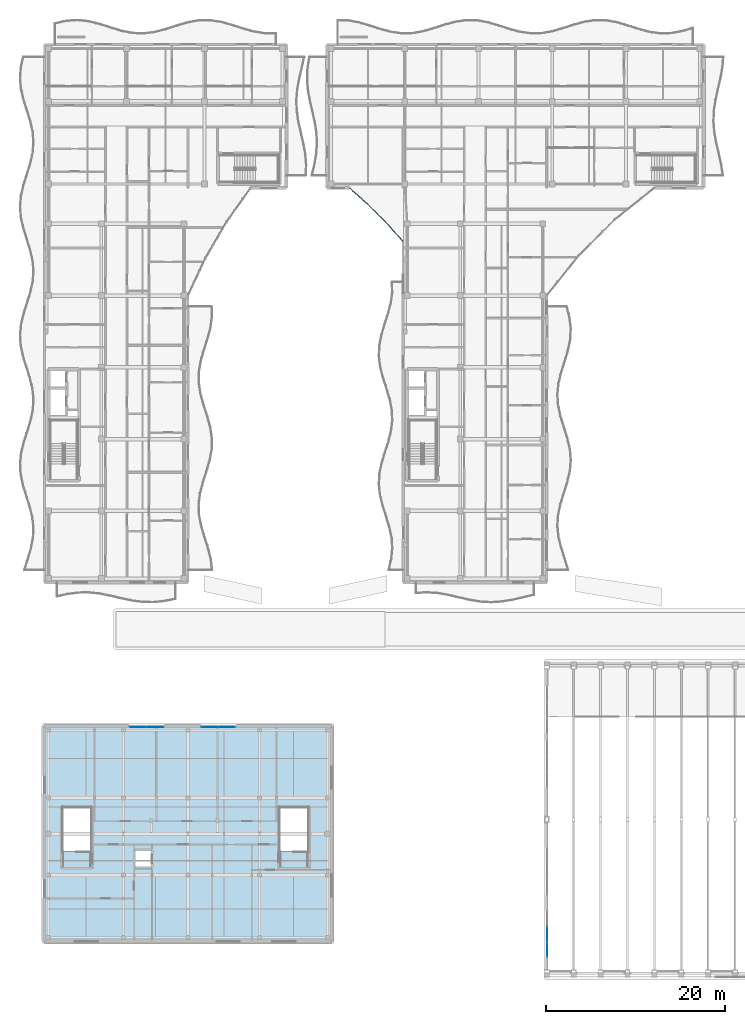
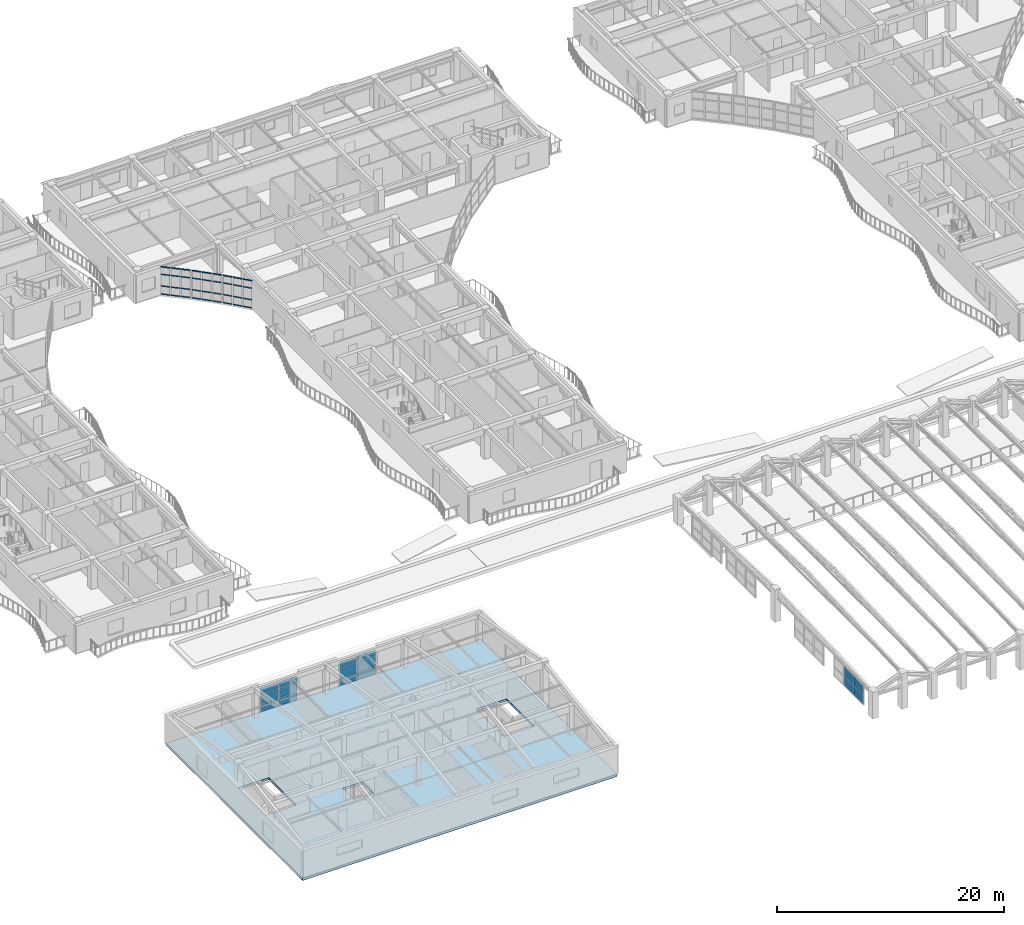
# One storey, part 69 of 128: 36 members, 16 plates, 1 slab, 6 elements without a shape of their own.
"""IFC4 building model written with IfcOpenShell, lengths in metres."""

import ifcopenshell
import ifcopenshell.guid

model = None  # the IFC model being written
_history = None  # IfcOwnerHistory: only IFC2X3 demands one
_inside = {}  # id of a spatial element -> (the spatial element, [elements in it])
_under = {}  # id of a project, library or spatial element -> (it, [spatial elements below it])
_declared = {}  # id of a project -> (the project, [libraries it declares])
_typed = {}  # id of a type object -> (the type object, [elements of that type])
_made_of = {}  # id of a material, layer set ... -> (it, [elements and type objects made of it])


def new_model(schema):
    """Start an empty IFC model of exactly this schema.

    Asked for "IFC4X3", IfcOpenShell would pick the latest addendum, in which some entities
    have other attributes; the version numbers below select the first issue.
    IFC2X3 requires an IfcOwnerHistory on every rooted entity: one is made here for all.
    """
    global model, _history
    if schema == "IFC4X3":
        model = ifcopenshell.file(schema_version=(4, 3, 0, 0))
    else:
        model = ifcopenshell.file(schema=schema)
    _inside.clear()
    _under.clear()
    _declared.clear()
    _typed.clear()
    _made_of.clear()
    _history = None
    if model.schema == "IFC2X3":
        org = make("IfcOrganization", Name="unknown")
        user = make(
            "IfcPersonAndOrganization",
            ThePerson=make("IfcPerson", FamilyName="unknown"),
            TheOrganization=org,
        )
        app = make(
            "IfcApplication",
            ApplicationDeveloper=org,
            Version="unknown",
            ApplicationFullName="unknown",
            ApplicationIdentifier="unknown",
        )
        _history = make(
            "IfcOwnerHistory",
            OwningUser=user,
            OwningApplication=app,
            ChangeAction="ADDED",
            CreationDate=0,
        )
    return model


def make(cls, **values):
    """One entity of the class cls with the attributes given. An attribute that is None is left unset."""
    return model.create_entity(
        cls, **{name: value for name, value in values.items() if value is not None}
    )


def rooted(cls, **values):
    """An entity with a GlobalId (a new one), such as an element, a storey or a relation."""
    return make(cls, GlobalId=ifcopenshell.guid.new(), OwnerHistory=_history, **values)


def si_unit(unit_type, name, prefix=None):
    """IfcSIUnit, for example si_unit("LENGTHUNIT", "METRE", prefix="MILLI")."""
    return make("IfcSIUnit", UnitType=unit_type, Prefix=prefix, Name=name)


def assignment(units):
    """IfcUnitAssignment: the units of a project."""
    return None if units is None else make("IfcUnitAssignment", Units=units)


def point(xyz):
    """IfcCartesianPoint."""
    return None if xyz is None else make("IfcCartesianPoint", Coordinates=xyz)


def direction(xyz):
    """IfcDirection."""
    return None if xyz is None else make("IfcDirection", DirectionRatios=xyz)


def frame(location, z_axis=None, x_axis=None):
    """IfcAxis2Placement3D, a coordinate frame: its origin and axes. An axis left out is left unset."""
    return make(
        "IfcAxis2Placement3D",
        Location=point(location),
        Axis=direction(z_axis),
        RefDirection=direction(x_axis),
    )


def frame_2d(location, x_axis=None):
    """IfcAxis2Placement2D, a coordinate frame in the plane: its origin and x axis."""
    return make(
        "IfcAxis2Placement2D", Location=point(location), RefDirection=direction(x_axis)
    )


def origin():
    """The frame at (0, 0, 0) with its axes left unset."""
    return frame((0.0, 0.0, 0.0))


def origin_2d():
    """The frame at (0, 0) in the plane with its x axis left unset."""
    return frame_2d((0.0, 0.0))


def place(relative_to, where):
    """IfcLocalPlacement: puts the frame where relative to a parent placement (None: the world)."""
    return make(
        "IfcLocalPlacement", PlacementRelTo=relative_to, RelativePlacement=where
    )


def context(
    kind, dimensions, precision=None, world=None, true_north=None, identifier=None
):
    """IfcGeometricRepresentationContext, for example the 3D "Model" context."""
    return make(
        "IfcGeometricRepresentationContext",
        ContextIdentifier=identifier,
        ContextType=kind,
        CoordinateSpaceDimension=dimensions,
        Precision=precision,
        WorldCoordinateSystem=world,
        TrueNorth=true_north,
    )


def subcontext(parent, identifier, kind, view, scale=None):
    """IfcGeometricRepresentationSubContext, for example "Body" below "Model"."""
    return make(
        "IfcGeometricRepresentationSubContext",
        ContextIdentifier=identifier,
        ContextType=kind,
        ParentContext=parent,
        TargetScale=scale,
        TargetView=view,
    )


def project(units=None, contexts=None):
    """IfcProject with its units and contexts."""
    return rooted(
        "IfcProject",
        Name="project",
        RepresentationContexts=contexts,
        UnitsInContext=assignment(units),
    )


def spatial(cls, under=None, at=None, **own):
    """A site, building, storey or space (cls), placed at a placement, below another one or the project."""
    s = rooted(cls, ObjectPlacement=at, **own)
    if under is not None:
        _under.setdefault(under.id(), (under, []))[1].append(s)
    return s


def polyline(points):
    """IfcPolyline through the points."""
    return make("IfcPolyline", Points=[point(p) for p in points])


def profile(cls, at=None, kind="AREA", **sizes):
    """A parametric profile (cls). Its sizes go by their IFC names, for example OverallWidth=200.0."""
    return make(cls, ProfileType=kind, Position=at, **sizes)


def rectangle(**sizes):
    """IfcRectangleProfileDef."""
    return profile("IfcRectangleProfileDef", **sizes)


def hollow_rectangle(**sizes):
    """IfcRectangleHollowProfileDef."""
    return profile("IfcRectangleHollowProfileDef", **sizes)


def outline(outer, holes=None, kind="AREA"):
    """IfcArbitraryClosedProfileDef: a profile drawn as a closed curve; with holes, ...WithVoids."""
    if holes is None:
        return make("IfcArbitraryClosedProfileDef", ProfileType=kind, OuterCurve=outer)
    return make(
        "IfcArbitraryProfileDefWithVoids",
        ProfileType=kind,
        OuterCurve=outer,
        InnerCurves=holes,
    )


def extrude(swept, where, along, depth):
    """IfcExtrudedAreaSolid: the profile swept, set in the frame where, extruded along a direction by depth."""
    return make(
        "IfcExtrudedAreaSolid",
        SweptArea=swept,
        Position=where,
        ExtrudedDirection=direction(along),
        Depth=depth,
    )


def shape(context_of_items, identifier, shape_type, items):
    """IfcShapeRepresentation: the items that make up one representation, for example the "Body"."""
    return make(
        "IfcShapeRepresentation",
        ContextOfItems=context_of_items,
        RepresentationIdentifier=identifier,
        RepresentationType=shape_type,
        Items=items,
    )


def material(Name=None, Category=None):
    """IfcMaterial."""
    return make("IfcMaterial", Name=Name, Category=Category)


def layer(
    of_material, thickness, ventilated=None, Name=None, Category=None, Priority=None
):
    """IfcMaterialLayer: one layer of a wall or slab, of a material (None: an air gap)."""
    return make(
        "IfcMaterialLayer",
        Material=of_material,
        LayerThickness=thickness,
        IsVentilated=ventilated,
        Name=Name,
        Category=Category,
        Priority=Priority,
    )


def layer_set(layers, Name=None):
    """IfcMaterialLayerSet."""
    return make("IfcMaterialLayerSet", MaterialLayers=layers, LayerSetName=Name)


def material_profile(
    of_material, cross_section, Name=None, Category=None, Priority=None
):
    """IfcMaterialProfile: a cross section and its material."""
    return make(
        "IfcMaterialProfile",
        Name=Name,
        Material=of_material,
        Profile=cross_section,
        Priority=Priority,
        Category=Category,
    )


def profile_set(profiles, Name=None, composite=None):
    """IfcMaterialProfileSet."""
    return make(
        "IfcMaterialProfileSet",
        Name=Name,
        MaterialProfiles=profiles,
        CompositeProfile=composite,
    )


def made_of(thing, what):
    """Note that an element or type object is made of a material, layer set ...; save() writes the relation."""
    if what is not None:
        _made_of.setdefault(what.id(), (what, []))[1].append(thing)
    return thing


def type_object(cls, material=None, **own):
    """A type object (cls), such as IfcWallType, which elements share."""
    return made_of(rooted(cls, **own), material)


def element(
    cls,
    number,
    at=None,
    inside=None,
    cuts=None,
    type_object=None,
    material=None,
    context=None,
    identifier="Body",
    shape_type=None,
    held_by="IfcProductDefinitionShape",
    body=None,
    shapes=None,
    **own,
):
    """One element of the class cls, such as IfcWall. Its Tag is "e" and its number.

    at: its placement. inside: the storey or other place that contains it. cuts: it is an
    opening in that element (IfcRelVoidsElement). A single representation is given by context,
    identifier, shape_type and body (its items); several are given by shapes. held_by: the class
    of the entity that holds the representations. save() writes the other relations.
    """
    e = rooted(cls, Tag="e%d" % number, ObjectPlacement=at, **own)
    if body is not None:
        shapes = [shape(context, identifier, shape_type, body)]
    if shapes is not None:
        e.Representation = make(held_by, Representations=shapes)
    if inside is not None:
        _inside.setdefault(inside.id(), (inside, []))[1].append(e)
    if cuts is not None:
        rooted(
            "IfcRelVoidsElement", RelatingBuildingElement=cuts, RelatedOpeningElement=e
        )
    if type_object is not None:
        _typed.setdefault(type_object.id(), (type_object, []))[1].append(e)
    return made_of(e, material)


def aggregate(whole, parts):
    """IfcRelAggregates: a whole, such as a stair, and the parts it consists of."""
    return rooted("IfcRelAggregates", RelatingObject=whole, RelatedObjects=parts)


def save(model, path):
    """Write the relations noted so far, then the file.

    IfcRelAggregates (storeys below a building ...), IfcRelContainedInSpatialStructure (elements
    in a storey), IfcRelDefinesByType, IfcRelAssociatesMaterial and IfcRelDeclares: one each for
    every whole, place, type object, material and project.
    """
    for whole, parts in _under.values():
        aggregate(whole, parts)
    for where, things in _inside.values():
        rooted(
            "IfcRelContainedInSpatialStructure",
            RelatedElements=things,
            RelatingStructure=where,
        )
    for kind, things in _typed.values():
        rooted("IfcRelDefinesByType", RelatedObjects=things, RelatingType=kind)
    for what, things in _made_of.values():
        rooted("IfcRelAssociatesMaterial", RelatedObjects=things, RelatingMaterial=what)
    for by, libraries in _declared.values():
        rooted("IfcRelDeclares", RelatingContext=by, RelatedDefinitions=libraries)
    model.write(path)


model = new_model("IFC4")

# Units and contexts
model_context = context("Model", 3, precision=1e-05, world=origin(), true_north=direction((0.0, 1.0)))
body_context = subcontext(model_context, "Body", "Model", "MODEL_VIEW")
ifc_project = project(units=[si_unit("LENGTHUNIT", "METRE"), si_unit("AREAUNIT", "SQUARE_METRE"), si_unit("VOLUMEUNIT", "CUBIC_METRE"), si_unit("PLANEANGLEUNIT", "RADIAN"), si_unit("MASSUNIT", "GRAM", prefix="KILO")], contexts=[model_context])

# Site, building, storey
site_placement = place(None, origin())
site = spatial("IfcSite", under=ifc_project, at=site_placement, CompositionType="ELEMENT")
building_placement = place(site_placement, origin())
building = spatial("IfcBuilding", under=site, at=building_placement, Name="Keldmere Railside Commons", CompositionType="ELEMENT")
storey_placement = place(building_placement, frame((0.0, 0.0, 4.159912109375)))
storey = spatial("IfcBuildingStorey", under=building, at=storey_placement, Name="L01", CompositionType="ELEMENT", Elevation=4.159912109375)

# Curtain wall, members
ifc_material_1 = material(Name="Thermally Broken Aluminium", Category="aluminium")
ifc_layer_1 = layer(ifc_material_1, 0.159912109375, Name="Court Chord Wintergarden CW 4800x2850")
ifc_layer_set_1 = layer_set([ifc_layer_1], Name="Thermally Broken Aluminium")
curtain_wall_type_1 = type_object("IfcCurtainWallType", Name="Court Chord Wintergarden CW 4800x2850", PredefinedType="NOTDEFINED", material=ifc_layer_set_1)
curtain_wall_1_placement = place(storey_placement, origin())
curtain_wall_1 = element("IfcCurtainWall", 1, at=curtain_wall_1_placement, inside=storey, type_object=curtain_wall_type_1, Name="CW-12 CW-L01-034", PredefinedType="NOTDEFINED")
ifc_material_profile = material_profile(ifc_material_1, hollow_rectangle(XDim=0.06494140625, YDim=0.1201171875, WallThickness=0.00390625, at=origin_2d()), Name="ALU-TRAN-65x120")
ifc_profile_set = profile_set([ifc_material_profile], Name="Thermally Broken Aluminium")
member_type = type_object("IfcMemberType", Name="Unitised Curtain Wall Transom 65x120", PredefinedType="USERDEFINED", material=ifc_profile_set)
member_1_placement = place(storey_placement, frame((44.0595703125, 98.1533203125, 0.032470703125), z_axis=(-0.744569440646, 0.667545015752, 0.0), x_axis=(-0.667545015752, -0.744569440646, 0.0)))
member_1 = element("IfcMember", 2, at=member_1_placement, type_object=member_type, Name="CW-12 transom 1.1", ObjectType="TRANSOM", PredefinedType="USERDEFINED", context=body_context, shape_type="SweptSolid", body=[
    extrude(hollow_rectangle(XDim=0.06494140625, YDim=0.1201171875, WallThickness=0.00390625, at=origin_2d()), origin(), (0.0, 0.0, 1.0), 0.84619140625),
])
member_2_placement = place(storey_placement, frame((44.0595703125, 98.1533203125, 0.900146484375), z_axis=(-0.744569440646, 0.667545015752, 0.0), x_axis=(-0.667545015752, -0.744569440646, 0.0)))
member_2 = element("IfcMember", 3, at=member_2_placement, type_object=member_type, Name="CW-12 transom 1.2", ObjectType="TRANSOM", PredefinedType="USERDEFINED", context=body_context, shape_type="SweptSolid", body=[
    extrude(hollow_rectangle(XDim=0.06494140625, YDim=0.1201171875, WallThickness=0.00390625, at=origin_2d()), origin(), (0.0, 0.0, 1.0), 0.84619140625),
])
member_3_placement = place(storey_placement, frame((44.0595703125, 98.1533203125, 2.150146484375), z_axis=(-0.744569440646, 0.667545015752, 0.0), x_axis=(-0.667545015752, -0.744569440646, 0.0)))
member_3 = element("IfcMember", 4, at=member_3_placement, type_object=member_type, Name="CW-12 transom 1.3", ObjectType="TRANSOM", PredefinedType="USERDEFINED", context=body_context, shape_type="SweptSolid", body=[
    extrude(hollow_rectangle(XDim=0.06494140625, YDim=0.1201171875, WallThickness=0.00390625, at=origin_2d()), origin(), (0.0, 0.0, 1.0), 0.84619140625),
])
member_4_placement = place(storey_placement, frame((44.0595703125, 98.1533203125, 2.947509765625), z_axis=(-0.744569440646, 0.667545015752, 0.0), x_axis=(-0.667545015752, -0.744569440646, 0.0)))
member_4 = element("IfcMember", 5, at=member_4_placement, type_object=member_type, Name="CW-12 transom 1.4", ObjectType="TRANSOM", PredefinedType="USERDEFINED", context=body_context, shape_type="SweptSolid", body=[
    extrude(hollow_rectangle(XDim=0.06494140625, YDim=0.1201171875, WallThickness=0.00390625, at=origin_2d()), origin(), (0.0, 0.0, 1.0), 0.84619140625),
])
member_5_placement = place(storey_placement, frame((43.381103515625, 98.76171875, 0.032470703125), z_axis=(-0.744536109606, 0.667582190815, 0.0), x_axis=(-0.667582190815, -0.744536109606, 0.0)))
member_5 = element("IfcMember", 6, at=member_5_placement, type_object=member_type, Name="CW-12 transom 2.1", ObjectType="TRANSOM", PredefinedType="USERDEFINED", context=body_context, shape_type="SweptSolid", body=[
    extrude(hollow_rectangle(XDim=0.06494140625, YDim=0.1201171875, WallThickness=0.00390625, at=origin_2d()), origin(), (0.0, 0.0, 1.0), 0.87890625),
])
member_6_placement = place(storey_placement, frame((43.381103515625, 98.76171875, 0.900146484375), z_axis=(-0.744536109606, 0.667582190815, 0.0), x_axis=(-0.667582190815, -0.744536109606, 0.0)))
member_6 = element("IfcMember", 7, at=member_6_placement, type_object=member_type, Name="CW-12 transom 2.2", ObjectType="TRANSOM", PredefinedType="USERDEFINED", context=body_context, shape_type="SweptSolid", body=[
    extrude(hollow_rectangle(XDim=0.06494140625, YDim=0.1201171875, WallThickness=0.00390625, at=origin_2d()), origin(), (0.0, 0.0, 1.0), 0.87890625),
])
member_7_placement = place(storey_placement, frame((43.381103515625, 98.76171875, 2.150146484375), z_axis=(-0.744536109606, 0.667582190815, 0.0), x_axis=(-0.667582190815, -0.744536109606, 0.0)))
member_7 = element("IfcMember", 8, at=member_7_placement, type_object=member_type, Name="CW-12 transom 2.3", ObjectType="TRANSOM", PredefinedType="USERDEFINED", context=body_context, shape_type="SweptSolid", body=[
    extrude(hollow_rectangle(XDim=0.06494140625, YDim=0.1201171875, WallThickness=0.00390625, at=origin_2d()), origin(), (0.0, 0.0, 1.0), 0.87890625),
])
member_8_placement = place(storey_placement, frame((43.381103515625, 98.76171875, 2.947509765625), z_axis=(-0.744536109606, 0.667582190815, 0.0), x_axis=(-0.667582190815, -0.744536109606, 0.0)))
member_8 = element("IfcMember", 9, at=member_8_placement, type_object=member_type, Name="CW-12 transom 2.4", ObjectType="TRANSOM", PredefinedType="USERDEFINED", context=body_context, shape_type="SweptSolid", body=[
    extrude(hollow_rectangle(XDim=0.06494140625, YDim=0.1201171875, WallThickness=0.00390625, at=origin_2d()), origin(), (0.0, 0.0, 1.0), 0.87890625),
])
member_9_placement = place(storey_placement, frame((42.678466796875, 99.3916015625, 0.032470703125), z_axis=(-0.744569440646, 0.667545015752, 0.0), x_axis=(-0.667545015752, -0.744569440646, 0.0)))
member_9 = element("IfcMember", 10, at=member_9_placement, type_object=member_type, Name="CW-12 transom 3.1", ObjectType="TRANSOM", PredefinedType="USERDEFINED", context=body_context, shape_type="SweptSolid", body=[
    extrude(hollow_rectangle(XDim=0.06494140625, YDim=0.1201171875, WallThickness=0.00390625, at=origin_2d()), origin(), (0.0, 0.0, 1.0), 0.84619140625),
])
member_10_placement = place(storey_placement, frame((42.678466796875, 99.3916015625, 0.900146484375), z_axis=(-0.744569440646, 0.667545015752, 0.0), x_axis=(-0.667545015752, -0.744569440646, 0.0)))
member_10 = element("IfcMember", 11, at=member_10_placement, type_object=member_type, Name="CW-12 transom 3.2", ObjectType="TRANSOM", PredefinedType="USERDEFINED", context=body_context, shape_type="SweptSolid", body=[
    extrude(hollow_rectangle(XDim=0.06494140625, YDim=0.1201171875, WallThickness=0.00390625, at=origin_2d()), origin(), (0.0, 0.0, 1.0), 0.84619140625),
])
member_11_placement = place(storey_placement, frame((42.678466796875, 99.3916015625, 2.150146484375), z_axis=(-0.744569440646, 0.667545015752, 0.0), x_axis=(-0.667545015752, -0.744569440646, 0.0)))
member_11 = element("IfcMember", 12, at=member_11_placement, type_object=member_type, Name="CW-12 transom 3.3", ObjectType="TRANSOM", PredefinedType="USERDEFINED", context=body_context, shape_type="SweptSolid", body=[
    extrude(hollow_rectangle(XDim=0.06494140625, YDim=0.1201171875, WallThickness=0.00390625, at=origin_2d()), origin(), (0.0, 0.0, 1.0), 0.84619140625),
])
member_12_placement = place(storey_placement, frame((42.678466796875, 99.3916015625, 2.947509765625), z_axis=(-0.744569440646, 0.667545015752, 0.0), x_axis=(-0.667545015752, -0.744569440646, 0.0)))
member_12 = element("IfcMember", 13, at=member_12_placement, type_object=member_type, Name="CW-12 transom 3.4", ObjectType="TRANSOM", PredefinedType="USERDEFINED", context=body_context, shape_type="SweptSolid", body=[
    extrude(hollow_rectangle(XDim=0.06494140625, YDim=0.1201171875, WallThickness=0.00390625, at=origin_2d()), origin(), (0.0, 0.0, 1.0), 0.84619140625),
])
aggregate(curtain_wall_1, [member_1, member_2, member_3, member_4, member_5, member_6, member_7, member_8, member_9, member_10, member_11, member_12])

ifc_layer_2 = layer(ifc_material_1, 0.159912109375, Name="Court Chord Wintergarden CW 5400x2850")
ifc_layer_set_2 = layer_set([ifc_layer_2], Name="Thermally Broken Aluminium")
curtain_wall_type_2 = type_object("IfcCurtainWallType", Name="Court Chord Wintergarden CW 5400x2850", PredefinedType="NOTDEFINED", material=ifc_layer_set_2)
curtain_wall_2_placement = place(storey_placement, origin())
curtain_wall_2 = element("IfcCurtainWall", 14, at=curtain_wall_2_placement, inside=storey, type_object=curtain_wall_type_2, Name="CW-13 CW-L01-035", PredefinedType="NOTDEFINED")
member_13_placement = place(storey_placement, frame((46.06396484375, 96.154052734375, 0.032470703125), z_axis=(-0.707106781187, 0.707106781187, 0.0), x_axis=(-0.707106781187, -0.707106781187, 0.0)))
member_13 = element("IfcMember", 15, at=member_13_placement, type_object=member_type, Name="CW-13 transom 1.1", ObjectType="TRANSOM", PredefinedType="USERDEFINED", context=body_context, shape_type="SweptSolid", body=[
    extrude(hollow_rectangle(XDim=0.06494140625, YDim=0.1201171875, WallThickness=0.00390625, at=origin_2d()), origin(), (0.0, 0.0, 1.0), 0.84619140625),
])
member_14_placement = place(storey_placement, frame((46.06396484375, 96.154052734375, 0.900146484375), z_axis=(-0.707106781187, 0.707106781187, 0.0), x_axis=(-0.707106781187, -0.707106781187, 0.0)))
member_14 = element("IfcMember", 16, at=member_14_placement, type_object=member_type, Name="CW-13 transom 1.2", ObjectType="TRANSOM", PredefinedType="USERDEFINED", context=body_context, shape_type="SweptSolid", body=[
    extrude(hollow_rectangle(XDim=0.06494140625, YDim=0.1201171875, WallThickness=0.00390625, at=origin_2d()), origin(), (0.0, 0.0, 1.0), 0.84619140625),
])
member_15_placement = place(storey_placement, frame((46.06396484375, 96.154052734375, 2.150146484375), z_axis=(-0.707106781187, 0.707106781187, 0.0), x_axis=(-0.707106781187, -0.707106781187, 0.0)))
member_15 = element("IfcMember", 17, at=member_15_placement, type_object=member_type, Name="CW-13 transom 1.3", ObjectType="TRANSOM", PredefinedType="USERDEFINED", context=body_context, shape_type="SweptSolid", body=[
    extrude(hollow_rectangle(XDim=0.06494140625, YDim=0.1201171875, WallThickness=0.00390625, at=origin_2d()), origin(), (0.0, 0.0, 1.0), 0.84619140625),
])
member_16_placement = place(storey_placement, frame((46.06396484375, 96.154052734375, 2.947509765625), z_axis=(-0.707106781187, 0.707106781187, 0.0), x_axis=(-0.707106781187, -0.707106781187, 0.0)))
member_16 = element("IfcMember", 18, at=member_16_placement, type_object=member_type, Name="CW-13 transom 1.4", ObjectType="TRANSOM", PredefinedType="USERDEFINED", context=body_context, shape_type="SweptSolid", body=[
    extrude(hollow_rectangle(XDim=0.06494140625, YDim=0.1201171875, WallThickness=0.00390625, at=origin_2d()), origin(), (0.0, 0.0, 1.0), 0.84619140625),
])
member_17_placement = place(storey_placement, frame((45.419677734375, 96.79833984375, 0.032470703125), z_axis=(-0.707106781187, 0.707106781187, 0.0), x_axis=(-0.707106781187, -0.707106781187, 0.0)))
member_17 = element("IfcMember", 19, at=member_17_placement, type_object=member_type, Name="CW-13 transom 2.1", ObjectType="TRANSOM", PredefinedType="USERDEFINED", context=body_context, shape_type="SweptSolid", body=[
    extrude(hollow_rectangle(XDim=0.06494140625, YDim=0.1201171875, WallThickness=0.00390625, at=origin_2d()), origin(), (0.0, 0.0, 1.0), 0.878662109375),
])
member_18_placement = place(storey_placement, frame((45.419677734375, 96.79833984375, 0.900146484375), z_axis=(-0.707106781187, 0.707106781187, 0.0), x_axis=(-0.707106781187, -0.707106781187, 0.0)))
member_18 = element("IfcMember", 20, at=member_18_placement, type_object=member_type, Name="CW-13 transom 2.2", ObjectType="TRANSOM", PredefinedType="USERDEFINED", context=body_context, shape_type="SweptSolid", body=[
    extrude(hollow_rectangle(XDim=0.06494140625, YDim=0.1201171875, WallThickness=0.00390625, at=origin_2d()), origin(), (0.0, 0.0, 1.0), 0.878662109375),
])
member_19_placement = place(storey_placement, frame((45.419677734375, 96.79833984375, 2.150146484375), z_axis=(-0.707106781187, 0.707106781187, 0.0), x_axis=(-0.707106781187, -0.707106781187, 0.0)))
member_19 = element("IfcMember", 21, at=member_19_placement, type_object=member_type, Name="CW-13 transom 2.3", ObjectType="TRANSOM", PredefinedType="USERDEFINED", context=body_context, shape_type="SweptSolid", body=[
    extrude(hollow_rectangle(XDim=0.06494140625, YDim=0.1201171875, WallThickness=0.00390625, at=origin_2d()), origin(), (0.0, 0.0, 1.0), 0.878662109375),
])
member_20_placement = place(storey_placement, frame((45.419677734375, 96.79833984375, 2.947509765625), z_axis=(-0.707106781187, 0.707106781187, 0.0), x_axis=(-0.707106781187, -0.707106781187, 0.0)))
member_20 = element("IfcMember", 22, at=member_20_placement, type_object=member_type, Name="CW-13 transom 2.4", ObjectType="TRANSOM", PredefinedType="USERDEFINED", context=body_context, shape_type="SweptSolid", body=[
    extrude(hollow_rectangle(XDim=0.06494140625, YDim=0.1201171875, WallThickness=0.00390625, at=origin_2d()), origin(), (0.0, 0.0, 1.0), 0.878662109375),
])
member_21_placement = place(storey_placement, frame((44.75244140625, 97.465576171875, 0.032470703125), z_axis=(-0.707106781187, 0.707106781187, 0.0), x_axis=(-0.707106781187, -0.707106781187, 0.0)))
member_21 = element("IfcMember", 23, at=member_21_placement, type_object=member_type, Name="CW-13 transom 3.1", ObjectType="TRANSOM", PredefinedType="USERDEFINED", context=body_context, shape_type="SweptSolid", body=[
    extrude(hollow_rectangle(XDim=0.06494140625, YDim=0.1201171875, WallThickness=0.00390625, at=origin_2d()), origin(), (0.0, 0.0, 1.0), 0.84619140625),
])
member_22_placement = place(storey_placement, frame((44.75244140625, 97.465576171875, 0.900146484375), z_axis=(-0.707106781187, 0.707106781187, 0.0), x_axis=(-0.707106781187, -0.707106781187, 0.0)))
member_22 = element("IfcMember", 24, at=member_22_placement, type_object=member_type, Name="CW-13 transom 3.2", ObjectType="TRANSOM", PredefinedType="USERDEFINED", context=body_context, shape_type="SweptSolid", body=[
    extrude(hollow_rectangle(XDim=0.06494140625, YDim=0.1201171875, WallThickness=0.00390625, at=origin_2d()), origin(), (0.0, 0.0, 1.0), 0.84619140625),
])
member_23_placement = place(storey_placement, frame((44.75244140625, 97.465576171875, 2.150146484375), z_axis=(-0.707106781187, 0.707106781187, 0.0), x_axis=(-0.707106781187, -0.707106781187, 0.0)))
member_23 = element("IfcMember", 25, at=member_23_placement, type_object=member_type, Name="CW-13 transom 3.3", ObjectType="TRANSOM", PredefinedType="USERDEFINED", context=body_context, shape_type="SweptSolid", body=[
    extrude(hollow_rectangle(XDim=0.06494140625, YDim=0.1201171875, WallThickness=0.00390625, at=origin_2d()), origin(), (0.0, 0.0, 1.0), 0.84619140625),
])
member_24_placement = place(storey_placement, frame((44.75244140625, 97.465576171875, 2.947509765625), z_axis=(-0.707106781187, 0.707106781187, 0.0), x_axis=(-0.707106781187, -0.707106781187, 0.0)))
member_24 = element("IfcMember", 26, at=member_24_placement, type_object=member_type, Name="CW-13 transom 3.4", ObjectType="TRANSOM", PredefinedType="USERDEFINED", context=body_context, shape_type="SweptSolid", body=[
    extrude(hollow_rectangle(XDim=0.06494140625, YDim=0.1201171875, WallThickness=0.00390625, at=origin_2d()), origin(), (0.0, 0.0, 1.0), 0.84619140625),
])
aggregate(curtain_wall_2, [member_13, member_14, member_15, member_16, member_17, member_18, member_19, member_20, member_21, member_22, member_23, member_24])

curtain_wall_3_placement = place(storey_placement, origin())
curtain_wall_3 = element("IfcCurtainWall", 27, at=curtain_wall_3_placement, inside=storey, type_object=curtain_wall_type_1, Name="CW-12 CW-L01-036", PredefinedType="NOTDEFINED")
member_25_placement = place(storey_placement, frame((47.95654296875, 94.04833984375, 0.032470703125), z_axis=(-0.667545015752, 0.744569440646, 0.0), x_axis=(-0.744569440646, -0.667545015752, 0.0)))
member_25 = element("IfcMember", 28, at=member_25_placement, type_object=member_type, Name="CW-12 transom 1.1", ObjectType="TRANSOM", PredefinedType="USERDEFINED", context=body_context, shape_type="SweptSolid", body=[
    extrude(hollow_rectangle(XDim=0.06494140625, YDim=0.1201171875, WallThickness=0.00390625, at=origin_2d()), origin(), (0.0, 0.0, 1.0), 0.84619140625),
])
member_26_placement = place(storey_placement, frame((47.95654296875, 94.04833984375, 0.900146484375), z_axis=(-0.667545015752, 0.744569440646, 0.0), x_axis=(-0.744569440646, -0.667545015752, 0.0)))
member_26 = element("IfcMember", 29, at=member_26_placement, type_object=member_type, Name="CW-12 transom 1.2", ObjectType="TRANSOM", PredefinedType="USERDEFINED", context=body_context, shape_type="SweptSolid", body=[
    extrude(hollow_rectangle(XDim=0.06494140625, YDim=0.1201171875, WallThickness=0.00390625, at=origin_2d()), origin(), (0.0, 0.0, 1.0), 0.84619140625),
])
member_27_placement = place(storey_placement, frame((47.95654296875, 94.04833984375, 2.150146484375), z_axis=(-0.667545015752, 0.744569440646, 0.0), x_axis=(-0.744569440646, -0.667545015752, 0.0)))
member_27 = element("IfcMember", 30, at=member_27_placement, type_object=member_type, Name="CW-12 transom 1.3", ObjectType="TRANSOM", PredefinedType="USERDEFINED", context=body_context, shape_type="SweptSolid", body=[
    extrude(hollow_rectangle(XDim=0.06494140625, YDim=0.1201171875, WallThickness=0.00390625, at=origin_2d()), origin(), (0.0, 0.0, 1.0), 0.84619140625),
])
member_28_placement = place(storey_placement, frame((47.95654296875, 94.04833984375, 2.947509765625), z_axis=(-0.667545015752, 0.744569440646, 0.0), x_axis=(-0.744569440646, -0.667545015752, 0.0)))
member_28 = element("IfcMember", 31, at=member_28_placement, type_object=member_type, Name="CW-12 transom 1.4", ObjectType="TRANSOM", PredefinedType="USERDEFINED", context=body_context, shape_type="SweptSolid", body=[
    extrude(hollow_rectangle(XDim=0.06494140625, YDim=0.1201171875, WallThickness=0.00390625, at=origin_2d()), origin(), (0.0, 0.0, 1.0), 0.84619140625),
])
member_29_placement = place(storey_placement, frame((47.348388671875, 94.726806640625, 0.032470703125), z_axis=(-0.667582190815, 0.744536109606, 0.0), x_axis=(-0.744536109606, -0.667582190815, 0.0)))
member_29 = element("IfcMember", 32, at=member_29_placement, type_object=member_type, Name="CW-12 transom 2.1", ObjectType="TRANSOM", PredefinedType="USERDEFINED", context=body_context, shape_type="SweptSolid", body=[
    extrude(hollow_rectangle(XDim=0.06494140625, YDim=0.1201171875, WallThickness=0.00390625, at=origin_2d()), origin(), (0.0, 0.0, 1.0), 0.87890625),
])
member_30_placement = place(storey_placement, frame((47.348388671875, 94.726806640625, 0.900146484375), z_axis=(-0.667582190815, 0.744536109606, 0.0), x_axis=(-0.744536109606, -0.667582190815, 0.0)))
member_30 = element("IfcMember", 33, at=member_30_placement, type_object=member_type, Name="CW-12 transom 2.2", ObjectType="TRANSOM", PredefinedType="USERDEFINED", context=body_context, shape_type="SweptSolid", body=[
    extrude(hollow_rectangle(XDim=0.06494140625, YDim=0.1201171875, WallThickness=0.00390625, at=origin_2d()), origin(), (0.0, 0.0, 1.0), 0.87890625),
])
member_31_placement = place(storey_placement, frame((47.348388671875, 94.726806640625, 2.150146484375), z_axis=(-0.667582190815, 0.744536109606, 0.0), x_axis=(-0.744536109606, -0.667582190815, 0.0)))
member_31 = element("IfcMember", 34, at=member_31_placement, type_object=member_type, Name="CW-12 transom 2.3", ObjectType="TRANSOM", PredefinedType="USERDEFINED", context=body_context, shape_type="SweptSolid", body=[
    extrude(hollow_rectangle(XDim=0.06494140625, YDim=0.1201171875, WallThickness=0.00390625, at=origin_2d()), origin(), (0.0, 0.0, 1.0), 0.87890625),
])
member_32_placement = place(storey_placement, frame((47.348388671875, 94.726806640625, 2.947509765625), z_axis=(-0.667582190815, 0.744536109606, 0.0), x_axis=(-0.744536109606, -0.667582190815, 0.0)))
member_32 = element("IfcMember", 35, at=member_32_placement, type_object=member_type, Name="CW-12 transom 2.4", ObjectType="TRANSOM", PredefinedType="USERDEFINED", context=body_context, shape_type="SweptSolid", body=[
    extrude(hollow_rectangle(XDim=0.06494140625, YDim=0.1201171875, WallThickness=0.00390625, at=origin_2d()), origin(), (0.0, 0.0, 1.0), 0.87890625),
])
member_33_placement = place(storey_placement, frame((46.71826171875, 95.429443359375, 0.032470703125), z_axis=(-0.667545015752, 0.744569440646, 0.0), x_axis=(-0.744569440646, -0.667545015752, 0.0)))
member_33 = element("IfcMember", 36, at=member_33_placement, type_object=member_type, Name="CW-12 transom 3.1", ObjectType="TRANSOM", PredefinedType="USERDEFINED", context=body_context, shape_type="SweptSolid", body=[
    extrude(hollow_rectangle(XDim=0.06494140625, YDim=0.1201171875, WallThickness=0.00390625, at=origin_2d()), origin(), (0.0, 0.0, 1.0), 0.84619140625),
])
member_34_placement = place(storey_placement, frame((46.71826171875, 95.429443359375, 0.900146484375), z_axis=(-0.667545015752, 0.744569440646, 0.0), x_axis=(-0.744569440646, -0.667545015752, 0.0)))
member_34 = element("IfcMember", 37, at=member_34_placement, type_object=member_type, Name="CW-12 transom 3.2", ObjectType="TRANSOM", PredefinedType="USERDEFINED", context=body_context, shape_type="SweptSolid", body=[
    extrude(hollow_rectangle(XDim=0.06494140625, YDim=0.1201171875, WallThickness=0.00390625, at=origin_2d()), origin(), (0.0, 0.0, 1.0), 0.84619140625),
])
member_35_placement = place(storey_placement, frame((46.71826171875, 95.429443359375, 2.150146484375), z_axis=(-0.667545015752, 0.744569440646, 0.0), x_axis=(-0.744569440646, -0.667545015752, 0.0)))
member_35 = element("IfcMember", 38, at=member_35_placement, type_object=member_type, Name="CW-12 transom 3.3", ObjectType="TRANSOM", PredefinedType="USERDEFINED", context=body_context, shape_type="SweptSolid", body=[
    extrude(hollow_rectangle(XDim=0.06494140625, YDim=0.1201171875, WallThickness=0.00390625, at=origin_2d()), origin(), (0.0, 0.0, 1.0), 0.84619140625),
])
member_36_placement = place(storey_placement, frame((46.71826171875, 95.429443359375, 2.947509765625), z_axis=(-0.667545015752, 0.744569440646, 0.0), x_axis=(-0.744569440646, -0.667545015752, 0.0)))
member_36 = element("IfcMember", 39, at=member_36_placement, type_object=member_type, Name="CW-12 transom 3.4", ObjectType="TRANSOM", PredefinedType="USERDEFINED", context=body_context, shape_type="SweptSolid", body=[
    extrude(hollow_rectangle(XDim=0.06494140625, YDim=0.1201171875, WallThickness=0.00390625, at=origin_2d()), origin(), (0.0, 0.0, 1.0), 0.84619140625),
])
aggregate(curtain_wall_3, [member_25, member_26, member_27, member_28, member_29, member_30, member_31, member_32, member_33, member_34, member_35, member_36])

# Curtain wall, plates
ifc_layer_3 = layer(ifc_material_1, 0.159912109375, Name="Nursery Upper Sunroom CW 3800x2700")
ifc_layer_set_3 = layer_set([ifc_layer_3], Name="Thermally Broken Aluminium")
curtain_wall_type_3 = type_object("IfcCurtainWallType", Name="Nursery Upper Sunroom CW 3800x2700", PredefinedType="NOTDEFINED", material=ifc_layer_set_3)
curtain_wall_4_placement = place(storey_placement, origin())
curtain_wall_4 = element("IfcCurtainWall", 40, at=curtain_wall_4_placement, inside=storey, type_object=curtain_wall_type_3, Name="CW-09 CW-L01-202", PredefinedType="NOTDEFINED")
ifc_material_2 = material(Name="Low-E Insulated Double Glazing", Category="glass")
ifc_layer_4 = layer(ifc_material_2, 0.033935546875, Name="Acoustic Laminated Vision Panel 34")
ifc_layer_set_4 = layer_set([ifc_layer_4], Name="Low-E Insulated Double Glazing")
plate_type_1 = type_object("IfcPlateType", Name="Acoustic Laminated Vision Panel 34", PredefinedType="CURTAIN_PANEL", material=ifc_layer_set_4)
plate_1_placement = place(storey_placement, frame((26.46630859375, 39.89990234375, 0.065185546875), z_axis=(0.0, 0.0, 1.0), x_axis=(1.0, 0.0, 0.0)))
plate_1 = element("IfcPlate", 41, at=plate_1_placement, type_object=plate_type_1, Name="CW-09 panel 1.1", PredefinedType="CURTAIN_PANEL", context=body_context, shape_type="SweptSolid", body=[
    extrude(rectangle(XDim=1.802490234375, YDim=0.033935546875, at=origin_2d()), origin(), (0.0, 0.0, 1.0), 0.79248046875),
])
plate_2_placement = place(storey_placement, frame((26.46630859375, 39.89990234375, 0.92236328125), z_axis=(0.0, 0.0, 1.0), x_axis=(1.0, 0.0, 0.0)))
plate_2 = element("IfcPlate", 42, at=plate_2_placement, type_object=plate_type_1, Name="CW-09 panel 1.2", PredefinedType="CURTAIN_PANEL", context=body_context, shape_type="SweptSolid", body=[
    extrude(rectangle(XDim=1.802490234375, YDim=0.033935546875, at=origin_2d()), origin(), (0.0, 0.0, 1.0), 0.985107421875),
])
plate_3_placement = place(storey_placement, frame((26.46630859375, 39.89990234375, 1.97265625), z_axis=(0.0, 0.0, 1.0), x_axis=(1.0, 0.0, 0.0)))
plate_3 = element("IfcPlate", 43, at=plate_3_placement, type_object=plate_type_1, Name="CW-09 panel 1.3", PredefinedType="CURTAIN_PANEL", context=body_context, shape_type="SweptSolid", body=[
    extrude(rectangle(XDim=1.802490234375, YDim=0.033935546875, at=origin_2d()), origin(), (0.0, 0.0, 1.0), 0.66259765625),
])
plate_4_placement = place(storey_placement, frame((28.333740234375, 39.89990234375, 0.065185546875), z_axis=(0.0, 0.0, 1.0), x_axis=(1.0, 0.0, 0.0)))
plate_4 = element("IfcPlate", 44, at=plate_4_placement, type_object=plate_type_1, Name="CW-09 panel 2.1", PredefinedType="CURTAIN_PANEL", context=body_context, shape_type="SweptSolid", body=[
    extrude(rectangle(XDim=1.802490234375, YDim=0.033935546875, at=origin_2d()), origin(), (0.0, 0.0, 1.0), 0.79248046875),
])
plate_5_placement = place(storey_placement, frame((28.333740234375, 39.89990234375, 0.92236328125), z_axis=(0.0, 0.0, 1.0), x_axis=(1.0, 0.0, 0.0)))
plate_5 = element("IfcPlate", 45, at=plate_5_placement, type_object=plate_type_1, Name="CW-09 panel 2.2", PredefinedType="CURTAIN_PANEL", context=body_context, shape_type="SweptSolid", body=[
    extrude(rectangle(XDim=1.802490234375, YDim=0.033935546875, at=origin_2d()), origin(), (0.0, 0.0, 1.0), 0.985107421875),
])
plate_6_placement = place(storey_placement, frame((28.333740234375, 39.89990234375, 1.97265625), z_axis=(0.0, 0.0, 1.0), x_axis=(1.0, 0.0, 0.0)))
plate_6 = element("IfcPlate", 46, at=plate_6_placement, type_object=plate_type_1, Name="CW-09 panel 2.3", PredefinedType="CURTAIN_PANEL", context=body_context, shape_type="SweptSolid", body=[
    extrude(rectangle(XDim=1.802490234375, YDim=0.033935546875, at=origin_2d()), origin(), (0.0, 0.0, 1.0), 0.66259765625),
])
aggregate(curtain_wall_4, [plate_1, plate_2, plate_3, plate_4, plate_5, plate_6])

# Slab
ifc_material_3 = material(Name="Concrete H-30 (C30/37)", Category="concrete")
ifc_layer_5 = layer(ifc_material_3, 0.260009765625, Name="Civic Upper Floor Slab 260")
ifc_layer_set_5 = layer_set([ifc_layer_5], Name="Concrete H-30 (C30/37)")
slab_type = type_object("IfcSlabType", Name="Civic Upper Floor Slab 260", PredefinedType="FLOOR", material=ifc_layer_set_5)
slab_placement = place(storey_placement, frame((0.0, 0.0, -0.260009765625)))
element("IfcSlab", 47, at=slab_placement, inside=storey, type_object=slab_type, Name="FS-3 NUR-L01-074", PredefinedType="FLOOR", context=body_context, shape_type="SweptSolid", body=[
    extrude(outline(polyline([(40.0, 16.0), (40.0, 40.0), (8.0, 40.0), (8.0, 16.0), (40.0, 16.0)]), holes=[polyline([(20.0, 24.199951171875), (18.0, 24.199951171875), (18.0, 26.199951171875), (20.0, 26.199951171875), (20.0, 24.199951171875)]), polyline([(10.074951171875, 26.02490234375), (10.074951171875, 30.875), (13.175048828125, 30.875), (13.175048828125, 26.02490234375), (10.074951171875, 26.02490234375)]), polyline([(34.27490234375, 26.02490234375), (34.27490234375, 30.875), (37.375, 30.875), (37.375, 26.02490234375), (34.27490234375, 26.02490234375)])]), origin(), (0.0, 0.0, 1.0), 0.260009765625),
])

# Curtain wall, plates
ifc_layer_6 = layer(ifc_material_1, 0.159912109375, Name="Community Hall Side Clerestory CW 5200x2200")
ifc_layer_set_6 = layer_set([ifc_layer_6], Name="Thermally Broken Aluminium")
curtain_wall_type_4 = type_object("IfcCurtainWallType", Name="Community Hall Side Clerestory CW 5200x2200", PredefinedType="NOTDEFINED", material=ifc_layer_set_6)
curtain_wall_5_placement = place(storey_placement, origin())
curtain_wall_5 = element("IfcCurtainWall", 48, at=curtain_wall_5_placement, inside=storey, type_object=curtain_wall_type_4, Name="CW-06 CW-L01-203", PredefinedType="NOTDEFINED")
ifc_layer_7 = layer(ifc_material_2, 0.031982421875, Name="Clerestory Solar-Control Vision Panel 32")
ifc_layer_set_7 = layer_set([ifc_layer_7], Name="Low-E Insulated Double Glazing")
plate_type_2 = type_object("IfcPlateType", Name="Clerestory Solar-Control Vision Panel 32", PredefinedType="CURTAIN_PANEL", material=ifc_layer_set_7)
plate_7_placement = place(storey_placement, frame((64.050048828125, 15.0830078125, 0.1552734375), z_axis=(0.0, 0.0, 1.0), x_axis=(0.0, 1.0, 0.0)))
plate_7 = element("IfcPlate", 49, at=plate_7_placement, type_object=plate_type_2, Name="CW-06 panel 1.1", PredefinedType="CURTAIN_PANEL", context=body_context, shape_type="SweptSolid", body=[
    extrude(rectangle(XDim=1.6357421875, YDim=0.031982421875, at=origin_2d()), origin(), (0.0, 0.0, 1.0), 0.902587890625),
])
plate_8_placement = place(storey_placement, frame((64.050048828125, 15.0830078125, 1.12255859375), z_axis=(0.0, 0.0, 1.0), x_axis=(0.0, 1.0, 0.0)))
plate_8 = element("IfcPlate", 50, at=plate_8_placement, type_object=plate_type_2, Name="CW-06 panel 1.2", PredefinedType="CURTAIN_PANEL", context=body_context, shape_type="SweptSolid", body=[
    extrude(rectangle(XDim=1.6357421875, YDim=0.031982421875, at=origin_2d()), origin(), (0.0, 0.0, 1.0), 1.1025390625),
])
plate_9_placement = place(storey_placement, frame((64.050048828125, 16.800048828125, 0.1552734375), z_axis=(0.0, 0.0, 1.0), x_axis=(0.0, 1.0, 0.0)))
plate_9 = element("IfcPlate", 51, at=plate_9_placement, type_object=plate_type_2, Name="CW-06 panel 2.1", PredefinedType="CURTAIN_PANEL", context=body_context, shape_type="SweptSolid", body=[
    extrude(rectangle(XDim=1.668212890625, YDim=0.031982421875, at=origin_2d()), origin(), (0.0, 0.0, 1.0), 0.902587890625),
])
plate_10_placement = place(storey_placement, frame((64.050048828125, 16.800048828125, 1.12255859375), z_axis=(0.0, 0.0, 1.0), x_axis=(0.0, 1.0, 0.0)))
plate_10 = element("IfcPlate", 52, at=plate_10_placement, type_object=plate_type_2, Name="CW-06 panel 2.2", PredefinedType="CURTAIN_PANEL", context=body_context, shape_type="SweptSolid", body=[
    extrude(rectangle(XDim=1.668212890625, YDim=0.031982421875, at=origin_2d()), origin(), (0.0, 0.0, 1.0), 1.1025390625),
])
aggregate(curtain_wall_5, [plate_7, plate_8, plate_9, plate_10])

curtain_wall_6_placement = place(storey_placement, origin())
curtain_wall_6 = element("IfcCurtainWall", 53, at=curtain_wall_6_placement, inside=storey, type_object=curtain_wall_type_3, Name="CW-09 CW-L01-201", PredefinedType="NOTDEFINED")
ifc_layer_8 = layer(ifc_material_2, 0.028076171875, Name="Low-E Vision Glazing Panel 28")
ifc_layer_set_8 = layer_set([ifc_layer_8], Name="Low-E Insulated Double Glazing")
plate_type_3 = type_object("IfcPlateType", Name="Low-E Vision Glazing Panel 28", PredefinedType="CURTAIN_PANEL", material=ifc_layer_set_8)
plate_11_placement = place(storey_placement, frame((18.46630859375, 39.89990234375, 0.065185546875), z_axis=(0.0, 0.0, 1.0), x_axis=(1.0, 0.0, 0.0)))
plate_11 = element("IfcPlate", 54, at=plate_11_placement, type_object=plate_type_3, Name="CW-09 panel 1.1", PredefinedType="CURTAIN_PANEL", context=body_context, shape_type="SweptSolid", body=[
    extrude(rectangle(XDim=1.802490234375, YDim=0.028076171875, at=origin_2d()), origin(), (0.0, 0.0, 1.0), 0.79248046875),
])
plate_12_placement = place(storey_placement, frame((18.46630859375, 39.89990234375, 0.92236328125), z_axis=(0.0, 0.0, 1.0), x_axis=(1.0, 0.0, 0.0)))
plate_12 = element("IfcPlate", 55, at=plate_12_placement, type_object=plate_type_3, Name="CW-09 panel 1.2", PredefinedType="CURTAIN_PANEL", context=body_context, shape_type="SweptSolid", body=[
    extrude(rectangle(XDim=1.802490234375, YDim=0.028076171875, at=origin_2d()), origin(), (0.0, 0.0, 1.0), 0.985107421875),
])
plate_13_placement = place(storey_placement, frame((18.46630859375, 39.89990234375, 1.97265625), z_axis=(0.0, 0.0, 1.0), x_axis=(1.0, 0.0, 0.0)))
plate_13 = element("IfcPlate", 56, at=plate_13_placement, type_object=plate_type_3, Name="CW-09 panel 1.3", PredefinedType="CURTAIN_PANEL", context=body_context, shape_type="SweptSolid", body=[
    extrude(rectangle(XDim=1.802490234375, YDim=0.028076171875, at=origin_2d()), origin(), (0.0, 0.0, 1.0), 0.66259765625),
])
plate_14_placement = place(storey_placement, frame((20.333740234375, 39.89990234375, 0.065185546875), z_axis=(0.0, 0.0, 1.0), x_axis=(1.0, 0.0, 0.0)))
plate_14 = element("IfcPlate", 57, at=plate_14_placement, type_object=plate_type_3, Name="CW-09 panel 2.1", PredefinedType="CURTAIN_PANEL", context=body_context, shape_type="SweptSolid", body=[
    extrude(rectangle(XDim=1.802490234375, YDim=0.028076171875, at=origin_2d()), origin(), (0.0, 0.0, 1.0), 0.79248046875),
])
plate_15_placement = place(storey_placement, frame((20.333740234375, 39.89990234375, 0.92236328125), z_axis=(0.0, 0.0, 1.0), x_axis=(1.0, 0.0, 0.0)))
plate_15 = element("IfcPlate", 58, at=plate_15_placement, type_object=plate_type_3, Name="CW-09 panel 2.2", PredefinedType="CURTAIN_PANEL", context=body_context, shape_type="SweptSolid", body=[
    extrude(rectangle(XDim=1.802490234375, YDim=0.028076171875, at=origin_2d()), origin(), (0.0, 0.0, 1.0), 0.985107421875),
])
plate_16_placement = place(storey_placement, frame((20.333740234375, 39.89990234375, 1.97265625), z_axis=(0.0, 0.0, 1.0), x_axis=(1.0, 0.0, 0.0)))
plate_16 = element("IfcPlate", 59, at=plate_16_placement, type_object=plate_type_3, Name="CW-09 panel 2.3", PredefinedType="CURTAIN_PANEL", context=body_context, shape_type="SweptSolid", body=[
    extrude(rectangle(XDim=1.802490234375, YDim=0.028076171875, at=origin_2d()), origin(), (0.0, 0.0, 1.0), 0.66259765625),
])
aggregate(curtain_wall_6, [plate_11, plate_12, plate_13, plate_14, plate_15, plate_16])

save(model, "model.ifc")
